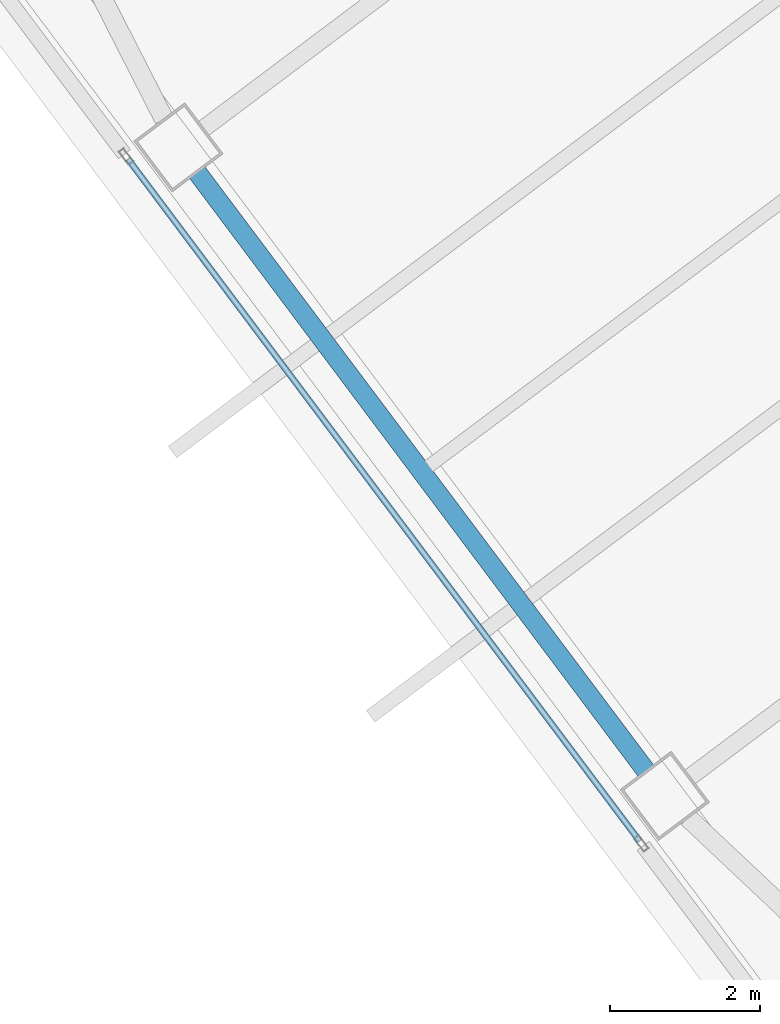
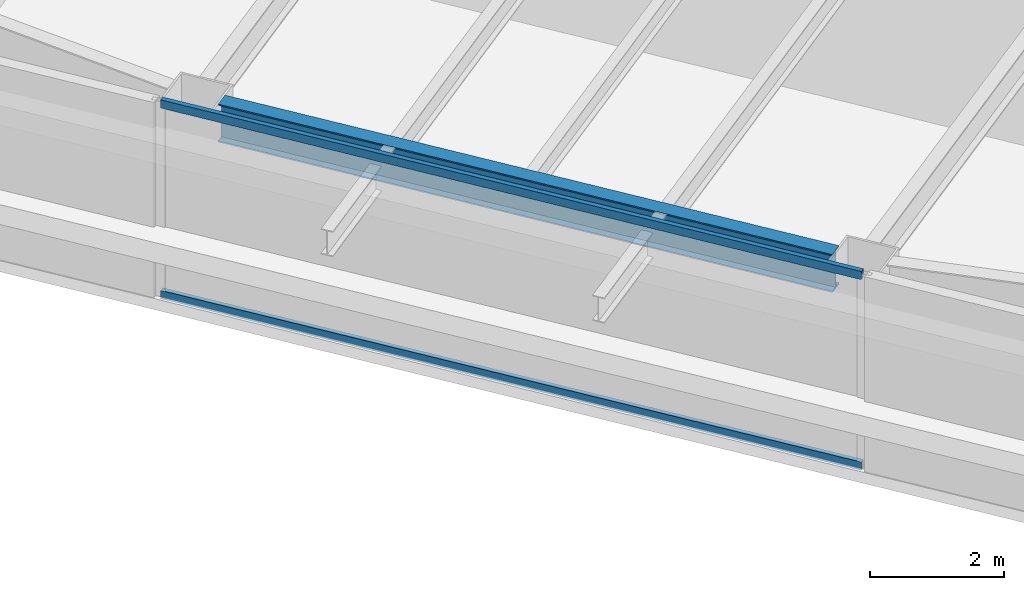
# One storey, part 17 of 47: 2 members, 1 beam, 1 element without a shape of its own.
"""IFC4 building model written with IfcOpenShell, lengths in metres."""

import ifcopenshell
import ifcopenshell.guid

model = None  # the IFC model being written
_history = None  # IfcOwnerHistory: only IFC2X3 demands one
_inside = {}  # id of a spatial element -> (the spatial element, [elements in it])
_under = {}  # id of a project, library or spatial element -> (it, [spatial elements below it])
_declared = {}  # id of a project -> (the project, [libraries it declares])
_typed = {}  # id of a type object -> (the type object, [elements of that type])
_made_of = {}  # id of a material, layer set ... -> (it, [elements and type objects made of it])


def new_model(schema):
    """Start an empty IFC model of exactly this schema.

    Asked for "IFC4X3", IfcOpenShell would pick the latest addendum, in which some entities
    have other attributes; the version numbers below select the first issue.
    IFC2X3 requires an IfcOwnerHistory on every rooted entity: one is made here for all.
    """
    global model, _history
    if schema == "IFC4X3":
        model = ifcopenshell.file(schema_version=(4, 3, 0, 0))
    else:
        model = ifcopenshell.file(schema=schema)
    _inside.clear()
    _under.clear()
    _declared.clear()
    _typed.clear()
    _made_of.clear()
    _history = None
    if model.schema == "IFC2X3":
        org = make("IfcOrganization", Name="unknown")
        user = make(
            "IfcPersonAndOrganization",
            ThePerson=make("IfcPerson", FamilyName="unknown"),
            TheOrganization=org,
        )
        app = make(
            "IfcApplication",
            ApplicationDeveloper=org,
            Version="unknown",
            ApplicationFullName="unknown",
            ApplicationIdentifier="unknown",
        )
        _history = make(
            "IfcOwnerHistory",
            OwningUser=user,
            OwningApplication=app,
            ChangeAction="ADDED",
            CreationDate=0,
        )
    return model


def make(cls, **values):
    """One entity of the class cls with the attributes given. An attribute that is None is left unset."""
    return model.create_entity(
        cls, **{name: value for name, value in values.items() if value is not None}
    )


def rooted(cls, **values):
    """An entity with a GlobalId (a new one), such as an element, a storey or a relation."""
    return make(cls, GlobalId=ifcopenshell.guid.new(), OwnerHistory=_history, **values)


def si_unit(unit_type, name, prefix=None):
    """IfcSIUnit, for example si_unit("LENGTHUNIT", "METRE", prefix="MILLI")."""
    return make("IfcSIUnit", UnitType=unit_type, Prefix=prefix, Name=name)


def assignment(units):
    """IfcUnitAssignment: the units of a project."""
    return None if units is None else make("IfcUnitAssignment", Units=units)


def point(xyz):
    """IfcCartesianPoint."""
    return None if xyz is None else make("IfcCartesianPoint", Coordinates=xyz)


def direction(xyz):
    """IfcDirection."""
    return None if xyz is None else make("IfcDirection", DirectionRatios=xyz)


def frame(location, z_axis=None, x_axis=None):
    """IfcAxis2Placement3D, a coordinate frame: its origin and axes. An axis left out is left unset."""
    return make(
        "IfcAxis2Placement3D",
        Location=point(location),
        Axis=direction(z_axis),
        RefDirection=direction(x_axis),
    )


def frame_2d(location, x_axis=None):
    """IfcAxis2Placement2D, a coordinate frame in the plane: its origin and x axis."""
    return make(
        "IfcAxis2Placement2D", Location=point(location), RefDirection=direction(x_axis)
    )


def origin():
    """The frame at (0, 0, 0) with its axes left unset."""
    return frame((0.0, 0.0, 0.0))


def origin_2d():
    """The frame at (0, 0) in the plane with its x axis left unset."""
    return frame_2d((0.0, 0.0))


def place(relative_to, where):
    """IfcLocalPlacement: puts the frame where relative to a parent placement (None: the world)."""
    return make(
        "IfcLocalPlacement", PlacementRelTo=relative_to, RelativePlacement=where
    )


def context(
    kind, dimensions, precision=None, world=None, true_north=None, identifier=None
):
    """IfcGeometricRepresentationContext, for example the 3D "Model" context."""
    return make(
        "IfcGeometricRepresentationContext",
        ContextIdentifier=identifier,
        ContextType=kind,
        CoordinateSpaceDimension=dimensions,
        Precision=precision,
        WorldCoordinateSystem=world,
        TrueNorth=true_north,
    )


def subcontext(parent, identifier, kind, view, scale=None):
    """IfcGeometricRepresentationSubContext, for example "Body" below "Model"."""
    return make(
        "IfcGeometricRepresentationSubContext",
        ContextIdentifier=identifier,
        ContextType=kind,
        ParentContext=parent,
        TargetScale=scale,
        TargetView=view,
    )


def project(units=None, contexts=None):
    """IfcProject with its units and contexts."""
    return rooted(
        "IfcProject",
        Name="project",
        RepresentationContexts=contexts,
        UnitsInContext=assignment(units),
    )


def spatial(cls, under=None, at=None, **own):
    """A site, building, storey or space (cls), placed at a placement, below another one or the project."""
    s = rooted(cls, ObjectPlacement=at, **own)
    if under is not None:
        _under.setdefault(under.id(), (under, []))[1].append(s)
    return s


def profile(cls, at=None, kind="AREA", **sizes):
    """A parametric profile (cls). Its sizes go by their IFC names, for example OverallWidth=200.0."""
    return make(cls, ProfileType=kind, Position=at, **sizes)


def hollow_rectangle(**sizes):
    """IfcRectangleHollowProfileDef."""
    return profile("IfcRectangleHollowProfileDef", **sizes)


def i_section(**sizes):
    """IfcIShapeProfileDef."""
    return profile("IfcIShapeProfileDef", **sizes)


def extrude(swept, where, along, depth):
    """IfcExtrudedAreaSolid: the profile swept, set in the frame where, extruded along a direction by depth."""
    return make(
        "IfcExtrudedAreaSolid",
        SweptArea=swept,
        Position=where,
        ExtrudedDirection=direction(along),
        Depth=depth,
    )


def shape(context_of_items, identifier, shape_type, items):
    """IfcShapeRepresentation: the items that make up one representation, for example the "Body"."""
    return make(
        "IfcShapeRepresentation",
        ContextOfItems=context_of_items,
        RepresentationIdentifier=identifier,
        RepresentationType=shape_type,
        Items=items,
    )


def material(Name=None, Category=None):
    """IfcMaterial."""
    return make("IfcMaterial", Name=Name, Category=Category)


def material_profile(
    of_material, cross_section, Name=None, Category=None, Priority=None
):
    """IfcMaterialProfile: a cross section and its material."""
    return make(
        "IfcMaterialProfile",
        Name=Name,
        Material=of_material,
        Profile=cross_section,
        Priority=Priority,
        Category=Category,
    )


def profile_set(profiles, Name=None, composite=None):
    """IfcMaterialProfileSet."""
    return make(
        "IfcMaterialProfileSet",
        Name=Name,
        MaterialProfiles=profiles,
        CompositeProfile=composite,
    )


def made_of(thing, what):
    """Note that an element or type object is made of a material, layer set ...; save() writes the relation."""
    if what is not None:
        _made_of.setdefault(what.id(), (what, []))[1].append(thing)
    return thing


def type_object(cls, material=None, **own):
    """A type object (cls), such as IfcWallType, which elements share."""
    return made_of(rooted(cls, **own), material)


def element(
    cls,
    number,
    at=None,
    inside=None,
    cuts=None,
    type_object=None,
    material=None,
    context=None,
    identifier="Body",
    shape_type=None,
    held_by="IfcProductDefinitionShape",
    body=None,
    shapes=None,
    **own,
):
    """One element of the class cls, such as IfcWall. Its Tag is "e" and its number.

    at: its placement. inside: the storey or other place that contains it. cuts: it is an
    opening in that element (IfcRelVoidsElement). A single representation is given by context,
    identifier, shape_type and body (its items); several are given by shapes. held_by: the class
    of the entity that holds the representations. save() writes the other relations.
    """
    e = rooted(cls, Tag="e%d" % number, ObjectPlacement=at, **own)
    if body is not None:
        shapes = [shape(context, identifier, shape_type, body)]
    if shapes is not None:
        e.Representation = make(held_by, Representations=shapes)
    if inside is not None:
        _inside.setdefault(inside.id(), (inside, []))[1].append(e)
    if cuts is not None:
        rooted(
            "IfcRelVoidsElement", RelatingBuildingElement=cuts, RelatedOpeningElement=e
        )
    if type_object is not None:
        _typed.setdefault(type_object.id(), (type_object, []))[1].append(e)
    return made_of(e, material)


def aggregate(whole, parts):
    """IfcRelAggregates: a whole, such as a stair, and the parts it consists of."""
    return rooted("IfcRelAggregates", RelatingObject=whole, RelatedObjects=parts)


def save(model, path):
    """Write the relations noted so far, then the file.

    IfcRelAggregates (storeys below a building ...), IfcRelContainedInSpatialStructure (elements
    in a storey), IfcRelDefinesByType, IfcRelAssociatesMaterial and IfcRelDeclares: one each for
    every whole, place, type object, material and project.
    """
    for whole, parts in _under.values():
        aggregate(whole, parts)
    for where, things in _inside.values():
        rooted(
            "IfcRelContainedInSpatialStructure",
            RelatedElements=things,
            RelatingStructure=where,
        )
    for kind, things in _typed.values():
        rooted("IfcRelDefinesByType", RelatedObjects=things, RelatingType=kind)
    for what, things in _made_of.values():
        rooted("IfcRelAssociatesMaterial", RelatedObjects=things, RelatingMaterial=what)
    for by, libraries in _declared.values():
        rooted("IfcRelDeclares", RelatingContext=by, RelatedDefinitions=libraries)
    model.write(path)


model = new_model("IFC4")

# Units and contexts
model_context = context("Model", 3, precision=1e-05, world=origin(), true_north=direction((0.0, 1.0)))
body_context = subcontext(model_context, "Body", "Model", "MODEL_VIEW")
ifc_project = project(units=[si_unit("LENGTHUNIT", "METRE"), si_unit("AREAUNIT", "SQUARE_METRE"), si_unit("VOLUMEUNIT", "CUBIC_METRE"), si_unit("PLANEANGLEUNIT", "RADIAN"), si_unit("MASSUNIT", "GRAM", prefix="KILO")], contexts=[model_context])

# Site, building, storey
site_placement = place(None, origin())
site = spatial("IfcSite", under=ifc_project, at=site_placement, CompositionType="ELEMENT")
building_placement = place(site_placement, origin())
building = spatial("IfcBuilding", under=site, at=building_placement, Name="Tashvorn Skyway Center", CompositionType="ELEMENT")
storey_placement = place(building_placement, frame((0.0, 0.0, 81.39990234375)))
storey = spatial("IfcBuildingStorey", under=building, at=storey_placement, Name="L21", CompositionType="ELEMENT", Elevation=81.39990234375)

# Beam
ifc_material_1 = material(Name="Steel ASTM A992 Grade 50", Category="steel")
ifc_material_profile_1 = material_profile(ifc_material_1, i_section(OverallWidth=0.256103515625, OverallDepth=0.693115234375, WebThickness=0.014404296875, FlangeThickness=0.023681640625, at=origin_2d()), Name="W27X114")
ifc_profile_set_1 = profile_set([ifc_material_profile_1], Name="Steel ASTM A992 Grade 50")
beam_type = type_object("IfcBeamType", Name="BM-SPANDREL-W27X114", PredefinedType="SPANDREL", material=ifc_profile_set_1)
beam_placement = place(storey_placement, frame((95.612060546875, 24.43408203125, 3.003662109375), z_axis=(0.599988234018, -0.800008824351, 0.0), x_axis=(0.800008824351, 0.599988234018, 0.0)))
element("IfcBeam", 1, at=beam_placement, inside=storey, type_object=beam_type, Name="Tower 2 L21 Spandrel Beam 11", PredefinedType="SPANDREL", context=body_context, shape_type="SweptSolid", body=[
    extrude(i_section(OverallWidth=0.256103515625, OverallDepth=0.693115234375, WebThickness=0.014404296875, FlangeThickness=0.023681640625, at=origin_2d()), origin(), (0.0, 0.0, 1.0), 9.9599609375),
])

# Curtain wall, members
ifc_material_2 = material(Name="Thermally broken bronze-anodized aluminium 6063-T6", Category="aluminium")
curtain_wall_type = type_object("IfcCurtainWallType", Name="CW-CW-Z2", PredefinedType="NOTDEFINED", material=ifc_material_2)
curtain_wall_placement = place(storey_placement, origin())
curtain_wall = element("IfcCurtainWall", 2, at=curtain_wall_placement, inside=storey, type_object=curtain_wall_type, Name="Tower 2 L21 West Unitised Curtain Wall Glazing Group 2", PredefinedType="NOTDEFINED")
ifc_material_profile_2 = material_profile(ifc_material_2, hollow_rectangle(XDim=0.080078125, YDim=0.14990234375, WallThickness=0.00439453125, at=origin_2d()), Name="ALU-TRAN-80x150")
ifc_profile_set_2 = profile_set([ifc_material_profile_2], Name="Thermally broken bronze-anodized aluminium 6063-T6")
member_type = type_object("IfcMemberType", Name="CWT-CW-Z2", PredefinedType="USERDEFINED", material=ifc_profile_set_2)
member_1_placement = place(storey_placement, frame((101.50390625, 15.528076171875, 0.0400390625), z_axis=(-0.6, 0.8, 0.0), x_axis=(-0.8, -0.6, 0.0)))
member_1 = element("IfcMember", 3, at=member_1_placement, type_object=member_type, Name="CW-Z2 transom 1.1", ObjectType="TRANSOM", PredefinedType="USERDEFINED", context=body_context, shape_type="SweptSolid", body=[
    extrude(hollow_rectangle(XDim=0.080078125, YDim=0.14990234375, WallThickness=0.00439453125, at=origin_2d()), origin(), (0.0, 0.0, 1.0), 11.35986328125),
])
member_2_placement = place(storey_placement, frame((101.50390625, 15.528076171875, 3.510009765625), z_axis=(-0.6, 0.8, 0.0), x_axis=(-0.8, -0.6, 0.0)))
member_2 = element("IfcMember", 4, at=member_2_placement, type_object=member_type, Name="CW-Z2 transom 1.2", ObjectType="TRANSOM", PredefinedType="USERDEFINED", context=body_context, shape_type="SweptSolid", body=[
    extrude(hollow_rectangle(XDim=0.080078125, YDim=0.14990234375, WallThickness=0.00439453125, at=origin_2d()), origin(), (0.0, 0.0, 1.0), 11.35986328125),
])
aggregate(curtain_wall, [member_1, member_2])

save(model, "model.ifc")
